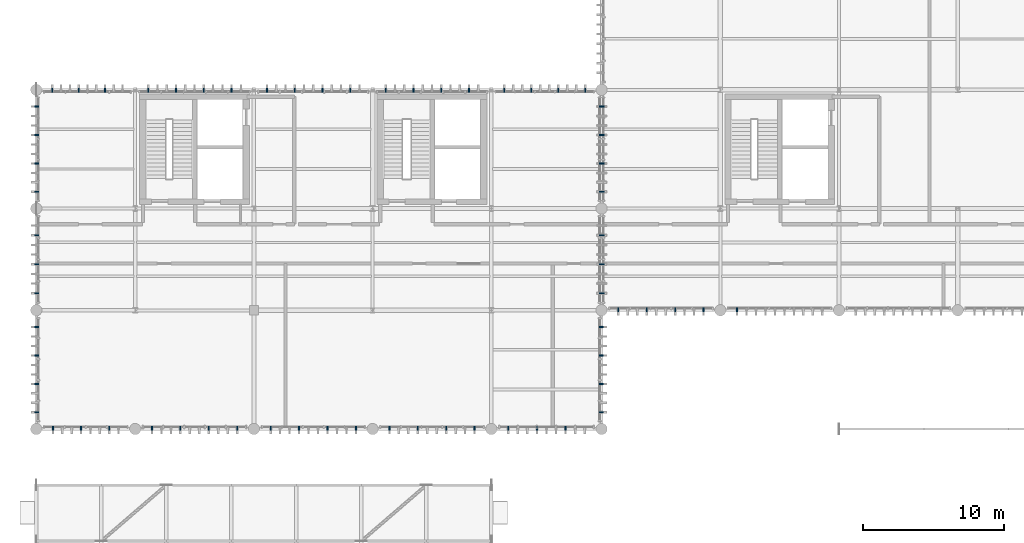
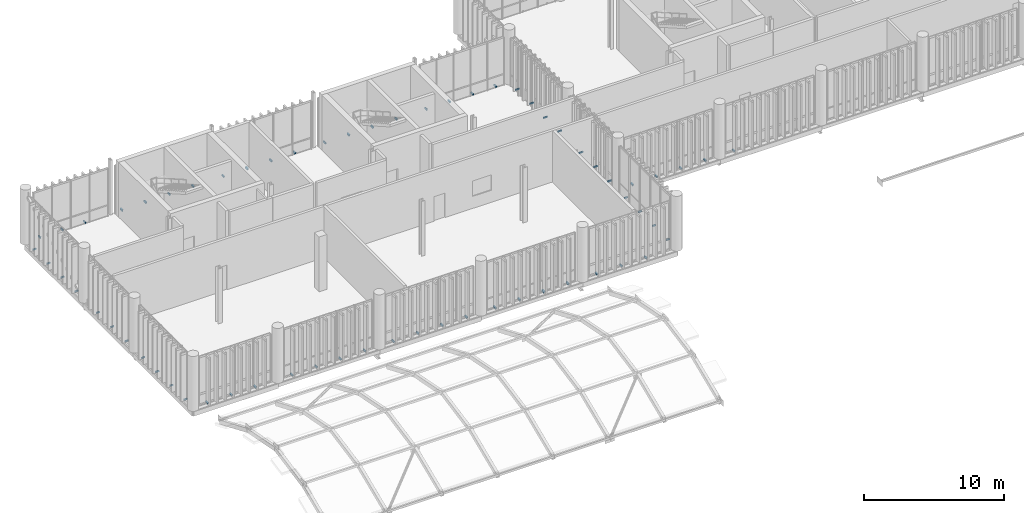
# One storey, part 84 of 94: 71 discrete accessories.
"""IFC4 building model written with IfcOpenShell, lengths in metres."""

from ifc_helpers import new_model, si_unit, direction, frame, origin_with_axes, origin_2d_with_axis, place, context, subcontext, project, spatial, rectangle, extrude, material, type_object, element, save


model = new_model("IFC4")

# Units and contexts
model_context = context("Model", 3, precision=1e-05, world=origin_with_axes(), true_north=direction((0.0, 1.0)))
body_context = subcontext(model_context, "Body", "Model", "MODEL_VIEW")
ifc_project = project(units=[si_unit("LENGTHUNIT", "METRE"), si_unit("AREAUNIT", "SQUARE_METRE"), si_unit("VOLUMEUNIT", "CUBIC_METRE"), si_unit("PLANEANGLEUNIT", "RADIAN"), si_unit("MASSUNIT", "GRAM", prefix="KILO"), si_unit("THERMODYNAMICTEMPERATUREUNIT", "KELVIN")], contexts=[model_context])

# Site, building, storey
site_placement = place(None, origin_with_axes())
site = spatial("IfcSite", under=ifc_project, at=site_placement, CompositionType="ELEMENT")
building_placement = place(site_placement, origin_with_axes())
building = spatial("IfcBuilding", under=site, at=building_placement, Name="Montbau Bow Law Courts", CompositionType="ELEMENT")
storey_placement = place(building_placement, frame((0.0, 0.0, 15.6), z_axis=(0.0, 0.0, 1.0), x_axis=(1.0, 0.0, 0.0)))
storey = spatial("IfcBuildingStorey", under=building, at=storey_placement, Name="L03", CompositionType="ELEMENT", Elevation=15.6)

# Discrete accessories
ifc_material = material(Name="Stainless Steel AISI 316L Outrigger Louvre Bracket", Category="steel")
discrete_accessory_type = type_object("IfcDiscreteAccessoryType", Name="DA-BRK-01", PredefinedType="BRACKET", material=ifc_material)
for number, where, z_axis, x_axis, name in (
    (1, (7.978, 30.64, 15.6), (0.0, 0.0, 1.0), (0.0, -1.0, 0.0), "BRK-L03-0172:brk_0172"),
    (2, (9.968, 30.64, 15.6), (0.0, 0.0, 1.0), (0.0, -1.0, 0.0), "BRK-L03-0173:brk_0173"),
    (3, (11.958, 30.64, 15.6), (0.0, 0.0, 1.0), (0.0, -1.0, 0.0), "BRK-L03-0174:brk_0174"),
    (4, (14.985, 30.64, 15.6), (0.0, 0.0, 1.0), (0.0, -1.0, 0.0), "BRK-L03-0175:brk_0175"),
    (5, (16.995, 30.64, 15.6), (0.0, 0.0, 1.0), (0.0, -1.0, 0.0), "BRK-L03-0176:brk_0176"),
    (6, (19.005, 30.64, 15.6), (0.0, 0.0, 1.0), (0.0, -1.0, 0.0), "BRK-L03-0177:brk_0177"),
    (7, (21.015, 30.64, 15.6), (0.0, 0.0, 1.0), (0.0, -1.0, 0.0), "BRK-L03-0178:brk_0178"),
    (8, (23.385, 30.64, 15.6), (0.0, 0.0, 1.0), (0.0, -1.0, 0.0), "BRK-L03-0179:brk_0179"),
    (9, (25.395, 30.64, 15.6), (0.0, 0.0, 1.0), (0.0, -1.0, 0.0), "BRK-L03-0180:brk_0180"),
    (10, (27.405, 30.64, 15.6), (0.0, 0.0, 1.0), (0.0, -1.0, 0.0), "BRK-L03-0181:brk_0181"),
    (11, (29.415, 30.64, 15.6), (0.0, 0.0, 1.0), (0.0, -1.0, 0.0), "BRK-L03-0182:brk_0182"),
    (12, (31.785, 30.64, 15.6), (0.0, 0.0, 1.0), (0.0, -1.0, 0.0), "BRK-L03-0183:brk_0183"),
    (13, (33.795, 30.64, 15.6), (0.0, 0.0, 1.0), (0.0, -1.0, 0.0), "BRK-L03-0184:brk_0184"),
    (14, (35.805, 30.64, 15.6), (0.0, 0.0, 1.0), (0.0, -1.0, 0.0), "BRK-L03-0185:brk_0185"),
    (15, (37.815, 30.64, 15.6), (0.0, 0.0, 1.0), (0.0, -1.0, 0.0), "BRK-L03-0186:brk_0186"),
    (16, (40.192, 30.64, 15.6), (0.0, 0.0, 1.0), (0.0, -1.0, 0.0), "BRK-L03-0187:brk_0187"),
    (17, (42.223, 30.64, 15.6), (0.0, 0.0, 1.0), (0.0, -1.0, 0.0), "BRK-L03-0188:brk_0188"),
    (18, (44.254, 30.64, 15.6), (0.0, 0.0, 1.0), (0.0, -1.0, 0.0), "BRK-L03-0189:brk_0189"),
    (19, (7.937, 54.56, 15.6), (0.0, 0.0, 1.0), (0.0, 1.0, 0.0), "BRK-L03-0190:brk_0190"),
    (20, (9.802, 54.56, 15.6), (0.0, 0.0, 1.0), (0.0, 1.0, 0.0), "BRK-L03-0191:brk_0191"),
    (21, (11.668, 54.56, 15.6), (0.0, 0.0, 1.0), (0.0, 1.0, 0.0), "BRK-L03-0192:brk_0192"),
    (22, (14.723, 54.56, 15.6), (0.0, 0.0, 1.0), (0.0, 1.0, 0.0), "BRK-L03-0193:brk_0193"),
    (23, (16.69, 54.56, 15.6), (0.0, 0.0, 1.0), (0.0, 1.0, 0.0), "BRK-L03-0194:brk_0194"),
    (24, (18.656, 54.56, 15.6), (0.0, 0.0, 1.0), (0.0, 1.0, 0.0), "BRK-L03-0195:brk_0195"),
    (25, (20.622, 54.56, 15.6), (0.0, 0.0, 1.0), (0.0, 1.0, 0.0), "BRK-L03-0196:brk_0196"),
    (26, (23.122, 54.56, 15.6), (0.0, 0.0, 1.0), (0.0, 1.0, 0.0), "BRK-L03-0197:brk_0197"),
    (27, (25.089, 54.56, 15.6), (0.0, 0.0, 1.0), (0.0, 1.0, 0.0), "BRK-L03-0198:brk_0198"),
    (28, (27.055, 54.56, 15.6), (0.0, 0.0, 1.0), (0.0, 1.0, 0.0), "BRK-L03-0199:brk_0199"),
    (29, (29.022, 54.56, 15.6), (0.0, 0.0, 1.0), (0.0, 1.0, 0.0), "BRK-L03-0200:brk_0200"),
    (30, (31.522, 54.56, 15.6), (0.0, 0.0, 1.0), (0.0, 1.0, 0.0), "BRK-L03-0201:brk_0201"),
    (31, (33.489, 54.56, 15.6), (0.0, 0.0, 1.0), (0.0, 1.0, 0.0), "BRK-L03-0202:brk_0202"),
    (32, (35.455, 54.56, 15.6), (0.0, 0.0, 1.0), (0.0, 1.0, 0.0), "BRK-L03-0203:brk_0203"),
    (33, (37.421, 54.56, 15.6), (0.0, 0.0, 1.0), (0.0, 1.0, 0.0), "BRK-L03-0204:brk_0204"),
    (34, (39.906, 54.56, 15.6), (0.0, 0.0, 1.0), (0.0, 1.0, 0.0), "BRK-L03-0205:brk_0205"),
    (35, (41.82, 54.56, 15.6), (0.0, 0.0, 1.0), (0.0, 1.0, 0.0), "BRK-L03-0206:brk_0206"),
    (36, (43.733, 54.56, 15.6), (0.0, 0.0, 1.0), (0.0, 1.0, 0.0), "BRK-L03-0207:brk_0207"),
    (37, (45.647, 54.56, 15.6), (0.0, 0.0, 1.0), (0.0, 1.0, 0.0), "BRK-L03-0208:brk_0208"),
    (38, (6.84, 31.785, 15.6), (0.0, 0.0, 1.0), (-1.0, 0.0, 0.0), "BRK-L03-0209:brk_0209"),
    (39, (6.84, 33.795, 15.6), (0.0, 0.0, 1.0), (-1.0, 0.0, 0.0), "BRK-L03-0210:brk_0210"),
    (40, (6.84, 35.805, 15.6), (0.0, 0.0, 1.0), (-1.0, 0.0, 0.0), "BRK-L03-0211:brk_0211"),
    (41, (6.84, 37.815, 15.6), (0.0, 0.0, 1.0), (-1.0, 0.0, 0.0), "BRK-L03-0212:brk_0212"),
    (42, (6.84, 40.201, 15.6), (0.0, 0.0, 1.0), (-1.0, 0.0, 0.0), "BRK-L03-0213:brk_0213"),
    (43, (6.84, 42.257, 15.6), (0.0, 0.0, 1.0), (-1.0, 0.0, 0.0), "BRK-L03-0214:brk_0214"),
    (44, (6.84, 44.314, 15.6), (0.0, 0.0, 1.0), (-1.0, 0.0, 0.0), "BRK-L03-0215:brk_0215"),
    (45, (6.84, 47.385, 15.6), (0.0, 0.0, 1.0), (-1.0, 0.0, 0.0), "BRK-L03-0216:brk_0216"),
    (46, (6.84, 49.395, 15.6), (0.0, 0.0, 1.0), (-1.0, 0.0, 0.0), "BRK-L03-0217:brk_0217"),
    (47, (6.84, 51.405, 15.6), (0.0, 0.0, 1.0), (-1.0, 0.0, 0.0), "BRK-L03-0218:brk_0218"),
    (48, (6.84, 53.415, 15.6), (0.0, 0.0, 1.0), (-1.0, 0.0, 0.0), "BRK-L03-0219:brk_0219"),
    (49, (46.76, 31.785, 15.6), (0.0, 0.0, 1.0), (1.0, 0.0, 0.0), "BRK-L03-0220:brk_0220"),
    (50, (46.76, 33.795, 15.6), (0.0, 0.0, 1.0), (1.0, 0.0, 0.0), "BRK-L03-0221:brk_0221"),
    (51, (46.76, 35.805, 15.6), (0.0, 0.0, 1.0), (1.0, 0.0, 0.0), "BRK-L03-0222:brk_0222"),
    (52, (46.76, 37.815, 15.6), (0.0, 0.0, 1.0), (1.0, 0.0, 0.0), "BRK-L03-0223:brk_0223"),
    (53, (46.76, 40.201, 15.6), (0.0, 0.0, 1.0), (1.0, 0.0, 0.0), "BRK-L03-0224:brk_0224"),
    (54, (46.76, 42.257, 15.6), (0.0, 0.0, 1.0), (1.0, 0.0, 0.0), "BRK-L03-0225:brk_0225"),
    (55, (46.76, 44.314, 15.6), (0.0, 0.0, 1.0), (1.0, 0.0, 0.0), "BRK-L03-0226:brk_0226"),
    (56, (46.76, 47.385, 15.6), (0.0, 0.0, 1.0), (1.0, 0.0, 0.0), "BRK-L03-0227:brk_0227"),
    (57, (46.76, 49.395, 15.6), (0.0, 0.0, 1.0), (1.0, 0.0, 0.0), "BRK-L03-0228:brk_0228"),
    (58, (46.76, 51.405, 15.6), (0.0, 0.0, 1.0), (1.0, 0.0, 0.0), "BRK-L03-0229:brk_0229"),
    (59, (46.76, 53.415, 15.6), (0.0, 0.0, 1.0), (1.0, 0.0, 0.0), "BRK-L03-0230:brk_0230"),
    (60, (47.985, 39.04, 15.6), (0.0, 0.0, 1.0), (0.0, -1.0, 0.0), "BRK-L03-0591:brk_0591"),
    (61, (49.995, 39.04, 15.6), (0.0, 0.0, 1.0), (0.0, -1.0, 0.0), "BRK-L03-0592:brk_0592"),
    (62, (52.005, 39.04, 15.6), (0.0, 0.0, 1.0), (0.0, -1.0, 0.0), "BRK-L03-0593:brk_0593"),
    (63, (54.015, 39.04, 15.6), (0.0, 0.0, 1.0), (0.0, -1.0, 0.0), "BRK-L03-0594:brk_0594"),
    (64, (56.385, 39.04, 15.6), (0.0, 0.0, 1.0), (0.0, -1.0, 0.0), "BRK-L03-0595:brk_0595"),
    (65, (46.84, 40.201, 15.6), (0.0, 0.0, 1.0), (-1.0, 0.0, 0.0), "BRK-L03-0639:brk_0639"),
    (66, (46.84, 42.257, 15.6), (0.0, 0.0, 1.0), (-1.0, 0.0, 0.0), "BRK-L03-0640:brk_0640"),
    (67, (46.84, 44.314, 15.6), (0.0, 0.0, 1.0), (-1.0, 0.0, 0.0), "BRK-L03-0641:brk_0641"),
    (68, (46.84, 47.385, 15.6), (0.0, 0.0, 1.0), (-1.0, 0.0, 0.0), "BRK-L03-0642:brk_0642"),
    (69, (46.84, 49.395, 15.6), (0.0, 0.0, 1.0), (-1.0, 0.0, 0.0), "BRK-L03-0643:brk_0643"),
    (70, (46.84, 51.405, 15.6), (0.0, 0.0, 1.0), (-1.0, 0.0, 0.0), "BRK-L03-0644:brk_0644"),
    (71, (46.84, 53.415, 15.6), (0.0, 0.0, 1.0), (-1.0, 0.0, 0.0), "BRK-L03-0645:brk_0645"),
):
    element("IfcDiscreteAccessory", number, at=place(None, frame(where, z_axis=z_axis, x_axis=x_axis)), inside=storey, type_object=discrete_accessory_type, Name=name, PredefinedType="BRACKET", context=body_context, shape_type="SweptSolid", body=[
        extrude(rectangle(XDim=0.28, YDim=0.09, at=origin_2d_with_axis()), origin_with_axes(), (0.0, 0.0, 1.0), 0.12),
    ])

save(model, "model.ifc")
